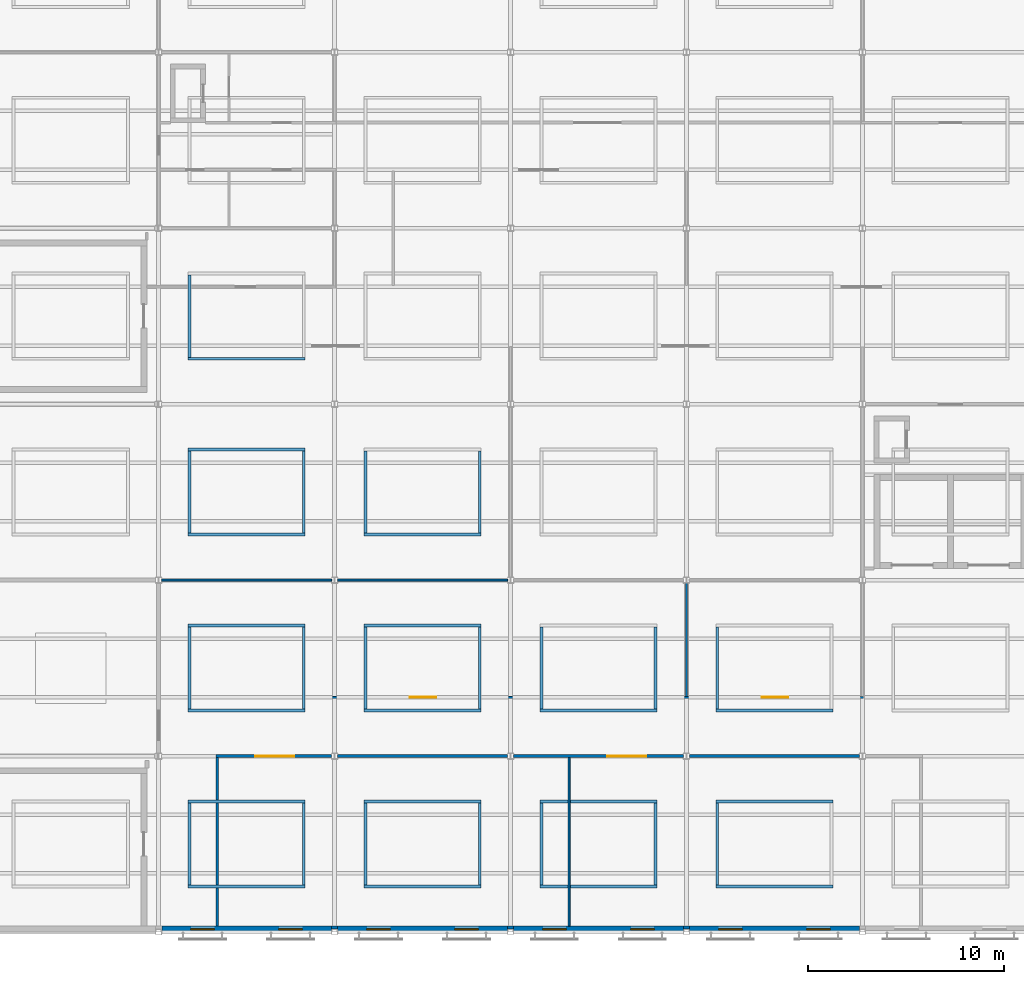
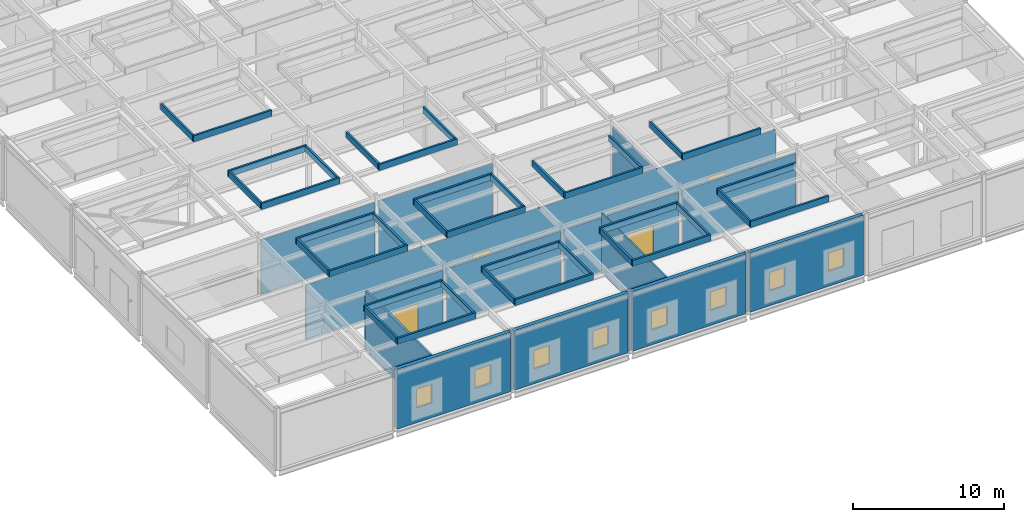
# One storey, part 78 of 115: 54 walls, 8 windows, 4 doors, 12 openings.
"""IFC4 building model written with IfcOpenShell, lengths in metres."""

import ifcopenshell
import ifcopenshell.guid

model = None  # the IFC model being written
_history = None  # IfcOwnerHistory: only IFC2X3 demands one
_inside = {}  # id of a spatial element -> (the spatial element, [elements in it])
_under = {}  # id of a project, library or spatial element -> (it, [spatial elements below it])
_declared = {}  # id of a project -> (the project, [libraries it declares])
_typed = {}  # id of a type object -> (the type object, [elements of that type])
_made_of = {}  # id of a material, layer set ... -> (it, [elements and type objects made of it])


def new_model(schema):
    """Start an empty IFC model of exactly this schema.

    Asked for "IFC4X3", IfcOpenShell would pick the latest addendum, in which some entities
    have other attributes; the version numbers below select the first issue.
    IFC2X3 requires an IfcOwnerHistory on every rooted entity: one is made here for all.
    """
    global model, _history
    if schema == "IFC4X3":
        model = ifcopenshell.file(schema_version=(4, 3, 0, 0))
    else:
        model = ifcopenshell.file(schema=schema)
    _inside.clear()
    _under.clear()
    _declared.clear()
    _typed.clear()
    _made_of.clear()
    _history = None
    if model.schema == "IFC2X3":
        org = make("IfcOrganization", Name="unknown")
        user = make(
            "IfcPersonAndOrganization",
            ThePerson=make("IfcPerson", FamilyName="unknown"),
            TheOrganization=org,
        )
        app = make(
            "IfcApplication",
            ApplicationDeveloper=org,
            Version="unknown",
            ApplicationFullName="unknown",
            ApplicationIdentifier="unknown",
        )
        _history = make(
            "IfcOwnerHistory",
            OwningUser=user,
            OwningApplication=app,
            ChangeAction="ADDED",
            CreationDate=0,
        )
    return model


def make(cls, **values):
    """One entity of the class cls with the attributes given. An attribute that is None is left unset."""
    return model.create_entity(
        cls, **{name: value for name, value in values.items() if value is not None}
    )


def rooted(cls, **values):
    """An entity with a GlobalId (a new one), such as an element, a storey or a relation."""
    return make(cls, GlobalId=ifcopenshell.guid.new(), OwnerHistory=_history, **values)


def si_unit(unit_type, name, prefix=None):
    """IfcSIUnit, for example si_unit("LENGTHUNIT", "METRE", prefix="MILLI")."""
    return make("IfcSIUnit", UnitType=unit_type, Prefix=prefix, Name=name)


def assignment(units):
    """IfcUnitAssignment: the units of a project."""
    return None if units is None else make("IfcUnitAssignment", Units=units)


def point(xyz):
    """IfcCartesianPoint."""
    return None if xyz is None else make("IfcCartesianPoint", Coordinates=xyz)


def direction(xyz):
    """IfcDirection."""
    return None if xyz is None else make("IfcDirection", DirectionRatios=xyz)


def frame(location, z_axis=None, x_axis=None):
    """IfcAxis2Placement3D, a coordinate frame: its origin and axes. An axis left out is left unset."""
    return make(
        "IfcAxis2Placement3D",
        Location=point(location),
        Axis=direction(z_axis),
        RefDirection=direction(x_axis),
    )


def frame_2d(location, x_axis=None):
    """IfcAxis2Placement2D, a coordinate frame in the plane: its origin and x axis."""
    return make(
        "IfcAxis2Placement2D", Location=point(location), RefDirection=direction(x_axis)
    )


def origin():
    """The frame at (0, 0, 0) with its axes left unset."""
    return frame((0.0, 0.0, 0.0))


def place(relative_to, where):
    """IfcLocalPlacement: puts the frame where relative to a parent placement (None: the world)."""
    return make(
        "IfcLocalPlacement", PlacementRelTo=relative_to, RelativePlacement=where
    )


def context(
    kind, dimensions, precision=None, world=None, true_north=None, identifier=None
):
    """IfcGeometricRepresentationContext, for example the 3D "Model" context."""
    return make(
        "IfcGeometricRepresentationContext",
        ContextIdentifier=identifier,
        ContextType=kind,
        CoordinateSpaceDimension=dimensions,
        Precision=precision,
        WorldCoordinateSystem=world,
        TrueNorth=true_north,
    )


def subcontext(parent, identifier, kind, view, scale=None):
    """IfcGeometricRepresentationSubContext, for example "Body" below "Model"."""
    return make(
        "IfcGeometricRepresentationSubContext",
        ContextIdentifier=identifier,
        ContextType=kind,
        ParentContext=parent,
        TargetScale=scale,
        TargetView=view,
    )


def project(units=None, contexts=None):
    """IfcProject with its units and contexts."""
    return rooted(
        "IfcProject",
        Name="project",
        RepresentationContexts=contexts,
        UnitsInContext=assignment(units),
    )


def spatial(cls, under=None, at=None, **own):
    """A site, building, storey or space (cls), placed at a placement, below another one or the project."""
    s = rooted(cls, ObjectPlacement=at, **own)
    if under is not None:
        _under.setdefault(under.id(), (under, []))[1].append(s)
    return s


def profile(cls, at=None, kind="AREA", **sizes):
    """A parametric profile (cls). Its sizes go by their IFC names, for example OverallWidth=200.0."""
    return make(cls, ProfileType=kind, Position=at, **sizes)


def rectangle(**sizes):
    """IfcRectangleProfileDef."""
    return profile("IfcRectangleProfileDef", **sizes)


def extrude(swept, where, along, depth):
    """IfcExtrudedAreaSolid: the profile swept, set in the frame where, extruded along a direction by depth."""
    return make(
        "IfcExtrudedAreaSolid",
        SweptArea=swept,
        Position=where,
        ExtrudedDirection=direction(along),
        Depth=depth,
    )


def shape(context_of_items, identifier, shape_type, items):
    """IfcShapeRepresentation: the items that make up one representation, for example the "Body"."""
    return make(
        "IfcShapeRepresentation",
        ContextOfItems=context_of_items,
        RepresentationIdentifier=identifier,
        RepresentationType=shape_type,
        Items=items,
    )


def material(Name=None, Category=None):
    """IfcMaterial."""
    return make("IfcMaterial", Name=Name, Category=Category)


def layer(
    of_material, thickness, ventilated=None, Name=None, Category=None, Priority=None
):
    """IfcMaterialLayer: one layer of a wall or slab, of a material (None: an air gap)."""
    return make(
        "IfcMaterialLayer",
        Material=of_material,
        LayerThickness=thickness,
        IsVentilated=ventilated,
        Name=Name,
        Category=Category,
        Priority=Priority,
    )


def layer_set(layers, Name=None):
    """IfcMaterialLayerSet."""
    return make("IfcMaterialLayerSet", MaterialLayers=layers, LayerSetName=Name)


def made_of(thing, what):
    """Note that an element or type object is made of a material, layer set ...; save() writes the relation."""
    if what is not None:
        _made_of.setdefault(what.id(), (what, []))[1].append(thing)
    return thing


def type_object(cls, material=None, **own):
    """A type object (cls), such as IfcWallType, which elements share."""
    return made_of(rooted(cls, **own), material)


def element(
    cls,
    number,
    at=None,
    inside=None,
    cuts=None,
    type_object=None,
    material=None,
    context=None,
    identifier="Body",
    shape_type=None,
    held_by="IfcProductDefinitionShape",
    body=None,
    shapes=None,
    **own,
):
    """One element of the class cls, such as IfcWall. Its Tag is "e" and its number.

    at: its placement. inside: the storey or other place that contains it. cuts: it is an
    opening in that element (IfcRelVoidsElement). A single representation is given by context,
    identifier, shape_type and body (its items); several are given by shapes. held_by: the class
    of the entity that holds the representations. save() writes the other relations.
    """
    e = rooted(cls, Tag="e%d" % number, ObjectPlacement=at, **own)
    if body is not None:
        shapes = [shape(context, identifier, shape_type, body)]
    if shapes is not None:
        e.Representation = make(held_by, Representations=shapes)
    if inside is not None:
        _inside.setdefault(inside.id(), (inside, []))[1].append(e)
    if cuts is not None:
        rooted(
            "IfcRelVoidsElement", RelatingBuildingElement=cuts, RelatedOpeningElement=e
        )
    if type_object is not None:
        _typed.setdefault(type_object.id(), (type_object, []))[1].append(e)
    return made_of(e, material)


def fill(opening, filler):
    """IfcRelFillsElement: the door or window that sits in an opening."""
    return rooted(
        "IfcRelFillsElement",
        RelatingOpeningElement=opening,
        RelatedBuildingElement=filler,
    )


def aggregate(whole, parts):
    """IfcRelAggregates: a whole, such as a stair, and the parts it consists of."""
    return rooted("IfcRelAggregates", RelatingObject=whole, RelatedObjects=parts)


def save(model, path):
    """Write the relations noted so far, then the file.

    IfcRelAggregates (storeys below a building ...), IfcRelContainedInSpatialStructure (elements
    in a storey), IfcRelDefinesByType, IfcRelAssociatesMaterial and IfcRelDeclares: one each for
    every whole, place, type object, material and project.
    """
    for whole, parts in _under.values():
        aggregate(whole, parts)
    for where, things in _inside.values():
        rooted(
            "IfcRelContainedInSpatialStructure",
            RelatedElements=things,
            RelatingStructure=where,
        )
    for kind, things in _typed.values():
        rooted("IfcRelDefinesByType", RelatedObjects=things, RelatingType=kind)
    for what, things in _made_of.values():
        rooted("IfcRelAssociatesMaterial", RelatedObjects=things, RelatingMaterial=what)
    for by, libraries in _declared.values():
        rooted("IfcRelDeclares", RelatingContext=by, RelatedDefinitions=libraries)
    model.write(path)


model = new_model("IFC4")

# Units and contexts
model_context = context("Model", 3, precision=1e-05, world=origin(), true_north=direction((0.0, 1.0)))
body_context = subcontext(model_context, "Body", "Model", "MODEL_VIEW")
ifc_project = project(units=[si_unit("LENGTHUNIT", "METRE"), si_unit("AREAUNIT", "SQUARE_METRE"), si_unit("VOLUMEUNIT", "CUBIC_METRE"), si_unit("PLANEANGLEUNIT", "RADIAN"), si_unit("MASSUNIT", "GRAM", prefix="KILO")], contexts=[model_context])

# Site, building, storey
site_placement = place(None, origin())
site = spatial("IfcSite", under=ifc_project, at=site_placement, CompositionType="ELEMENT")
building_placement = place(site_placement, origin())
building = spatial("IfcBuilding", under=site, at=building_placement, Name="Shorebreak Coast Museum", CompositionType="ELEMENT")
storey_placement = place(building_placement, frame((0.0, 0.0, 11.0)))
storey = spatial("IfcBuildingStorey", under=building, at=storey_placement, Name="L02", CompositionType="ELEMENT", Elevation=11.0)

# Walls
ifc_material_1 = material(Name="Concrete N50 (50 MPa)", Category="concrete")
ifc_layer_1 = layer(ifc_material_1, 0.14990234375)
ifc_layer_set_1 = layer_set([ifc_layer_1], Name="Concrete N50 (50 MPa)")
wall_type_1 = type_object("IfcWallType", Name="Column closure panel 150", PredefinedType="SOLIDWALL", material=ifc_layer_set_1)
for number, where, z_axis, x_axis, name in (
    (1, (71.839111328125, 0.22509765625, 0.0), (0.0, 0.0, 1.0), (1.0, 0.0, 0.0), "Column closure panel L02 S 9A"),
    (2, (80.839111328125, 0.22509765625, 0.0), (0.0, 0.0, 1.0), (1.0, 0.0, 0.0), "Column closure panel L02 S 10A"),
    (3, (89.839111328125, 0.22509765625, 0.0), (0.0, 0.0, 1.0), (1.0, 0.0, 0.0), "Column closure panel L02 S 11A"),
):
    element("IfcWall", number, at=place(storey_placement, frame(where, z_axis=z_axis, x_axis=x_axis)), inside=storey, type_object=wall_type_1, Name=name, PredefinedType="SOLIDWALL", context=body_context, shape_type="SweptSolid", body=[
        extrude(rectangle(XDim=0.32177734375, YDim=0.14990234375, at=frame_2d((0.160888671875, 0.0))), origin(), (0.0, 0.0, 1.0), 4.824951171875),
    ])

# Wall, opening, door
ifc_material_2 = material(Name="Plasterboard on steel stud", Category="steel")
ifc_layer_2 = layer(ifc_material_2, 0.14990234375)
ifc_layer_set_2 = layer_set([ifc_layer_2], Name="Plasterboard on steel stud")
wall_type_2 = type_object("IfcWallType", Name="Fire partition 150", PredefinedType="PARTITIONING", material=ifc_layer_set_2)
wall_1_placement = place(storey_placement, frame((65.925048828125, 9.0, 0.0), z_axis=(0.0, 0.0, 1.0), x_axis=(1.0, 0.0, 0.0)))
wall_1 = element("IfcWall", 4, at=wall_1_placement, inside=storey, type_object=wall_type_2, Name="Partition L02-001", PredefinedType="PARTITIONING", context=body_context, shape_type="SweptSolid", body=[
    extrude(rectangle(XDim=5.92138671875, YDim=0.14990234375, at=frame_2d((2.960693359375, 0.0))), origin(), (0.0, 0.0, 1.0), 4.418701171875),
])
opening_1_placement = place(wall_1_placement, frame((2.02490234375, 0.0, 0.0)))
opening_1 = element("IfcOpeningElement", 5, at=opening_1_placement, cuts=wall_1, Name="Opening D2024", PredefinedType="OPENING", context=body_context, shape_type="SweptSolid", body=[
    extrude(rectangle(XDim=2.0, YDim=2.39990234375, at=frame_2d((1.0, 1.199951171875))), frame((0.0, 0.0849609375, 0.0), z_axis=(0.0, -1.0, 0.0), x_axis=(1.0, 0.0, 0.0)), (0.0, 0.0, 1.0), 0.169921875),
])
ifc_material_3 = material(Name="Steel", Category="steel")
door_type_1 = type_object("IfcDoorType", Name="Fire door 2000x2400 60", OperationType="DOUBLE_DOOR_SINGLE_SWING", PredefinedType="DOOR", material=ifc_material_3)
door_1_placement = place(opening_1_placement, origin())
door_1 = element("IfcDoor", 6, at=door_1_placement, inside=storey, type_object=door_type_1, Name="Door D2024 Archive 2.01", OperationType="DOUBLE_DOOR_SINGLE_SWING", OverallHeight=2.39990234375, OverallWidth=2.0, PredefinedType="DOOR", context=body_context, shape_type="SweptSolid", body=[
    extrude(rectangle(XDim=2.0, YDim=2.39990234375, at=frame_2d((1.0, 1.199951171875))), frame((0.0, 0.02490234375, 0.0), z_axis=(0.0, -1.0, 0.0), x_axis=(1.0, 0.0, 0.0)), (0.0, 0.0, 1.0), 0.050048828125),
])
fill(opening_1, door_1)

# Wall
wall_2_placement = place(storey_placement, frame((72.153564453125, 9.0, 0.0), z_axis=(0.0, 0.0, 1.0), x_axis=(1.0, 0.0, 0.0)))
element("IfcWall", 7, at=wall_2_placement, inside=storey, type_object=wall_type_2, Name="Partition L02-002", PredefinedType="PARTITIONING", context=body_context, shape_type="SweptSolid", body=[
    extrude(rectangle(XDim=8.69287109375, YDim=0.14990234375, at=frame_2d((4.346435546875, 0.0))), origin(), (0.0, 0.0, 1.0), 4.418701171875),
])

# Wall, opening, door
wall_3_placement = place(storey_placement, frame((81.153564453125, 9.0, 0.0), z_axis=(0.0, 0.0, 1.0), x_axis=(1.0, 0.0, 0.0)))
wall_3 = element("IfcWall", 8, at=wall_3_placement, inside=storey, type_object=wall_type_2, Name="Partition L02-003", PredefinedType="PARTITIONING", context=body_context, shape_type="SweptSolid", body=[
    extrude(rectangle(XDim=8.69287109375, YDim=0.14990234375, at=frame_2d((4.346435546875, 0.0))), origin(), (0.0, 0.0, 1.0), 4.418701171875),
])
opening_2_placement = place(wall_3_placement, frame((4.79638671875, 0.0, 0.0)))
opening_2 = element("IfcOpeningElement", 9, at=opening_2_placement, cuts=wall_3, Name="Opening D2025", PredefinedType="OPENING", context=body_context, shape_type="SweptSolid", body=[
    extrude(rectangle(XDim=2.0, YDim=2.39990234375, at=frame_2d((1.0, 1.199951171875))), frame((0.0, 0.0849609375, 0.0), z_axis=(0.0, -1.0, 0.0), x_axis=(1.0, 0.0, 0.0)), (0.0, 0.0, 1.0), 0.169921875),
])
door_2_placement = place(opening_2_placement, origin())
door_2 = element("IfcDoor", 10, at=door_2_placement, inside=storey, type_object=door_type_1, Name="Door D2025 Archive 2.02", OperationType="DOUBLE_DOOR_SINGLE_SWING", OverallHeight=2.39990234375, OverallWidth=2.0, PredefinedType="DOOR", context=body_context, shape_type="SweptSolid", body=[
    extrude(rectangle(XDim=2.0, YDim=2.39990234375, at=frame_2d((1.0, 1.199951171875))), frame((0.0, 0.02490234375, 0.0), z_axis=(0.0, -1.0, 0.0), x_axis=(1.0, 0.0, 0.0)), (0.0, 0.0, 1.0), 0.050048828125),
])
fill(opening_2, door_2)

# Walls
wall_4_placement = place(storey_placement, frame((90.153564453125, 9.0, 0.0), z_axis=(0.0, 0.0, 1.0), x_axis=(1.0, 0.0, 0.0)))
element("IfcWall", 11, at=wall_4_placement, inside=storey, type_object=wall_type_2, Name="Partition L02-004", PredefinedType="PARTITIONING", context=body_context, shape_type="SweptSolid", body=[
    extrude(rectangle(XDim=8.69287109375, YDim=0.14990234375, at=frame_2d((4.346435546875, 0.0))), origin(), (0.0, 0.0, 1.0), 4.418701171875),
])
wall_5_placement = place(storey_placement, frame((66.0, 0.300048828125, 0.0), z_axis=(0.0, 0.0, 1.0), x_axis=(0.0, 1.0, 0.0)))
element("IfcWall", 12, at=wall_5_placement, inside=storey, type_object=wall_type_2, Name="Partition L02-120", PredefinedType="PARTITIONING", context=body_context, shape_type="SweptSolid", body=[
    extrude(rectangle(XDim=8.625, YDim=0.14990234375, at=frame_2d((4.3125, 0.0))), origin(), (0.0, 0.0, 1.0), 4.824951171875),
])

# Wall, openings, doors
ifc_material_4 = material(Name="Plasterboard on steel stud", Category="steel")
ifc_layer_3 = layer(ifc_material_4, 0.10009765625)
ifc_layer_set_3 = layer_set([ifc_layer_3], Name="Plasterboard on steel stud")
wall_type_3 = type_object("IfcWallType", Name="Partition 100", PredefinedType="PARTITIONING", material=ifc_layer_set_3)
wall_6_placement = place(storey_placement, frame((63.10009765625, 12.0, 0.0), z_axis=(0.0, 0.0, 1.0), x_axis=(1.0, 0.0, 0.0)))
wall_6 = element("IfcWall", 13, at=wall_6_placement, inside=storey, type_object=wall_type_3, Name="Partition L02-006", PredefinedType="PARTITIONING", context=body_context, shape_type="SweptSolid", body=[
    extrude(rectangle(XDim=35.949951171875, YDim=0.10009765625, at=frame_2d((17.97509765625, 0.0))), origin(), (0.0, 0.0, 1.0), 4.42236328125),
])
opening_3_placement = place(wall_6_placement, frame((12.75, 0.0, 0.0)))
opening_3 = element("IfcOpeningElement", 14, at=opening_3_placement, cuts=wall_6, Name="Opening D2030", PredefinedType="OPENING", context=body_context, shape_type="SweptSolid", body=[
    extrude(rectangle(XDim=1.35009765625, YDim=2.39990234375, at=frame_2d((0.675048828125, 1.199951171875))), frame((0.0, 0.06005859375, 0.0), z_axis=(0.0, -1.0, 0.0), x_axis=(1.0, 0.0, 0.0)), (0.0, 0.0, 1.0), 0.1201171875),
])
opening_4_placement = place(wall_6_placement, frame((30.75, 0.0, 0.0)))
opening_4 = element("IfcOpeningElement", 15, at=opening_4_placement, cuts=wall_6, Name="Opening D2031", PredefinedType="OPENING", context=body_context, shape_type="SweptSolid", body=[
    extrude(rectangle(XDim=1.35009765625, YDim=2.39990234375, at=frame_2d((0.675048828125, 1.199951171875))), frame((0.0, 0.06005859375, 0.0), z_axis=(0.0, -1.0, 0.0), x_axis=(1.0, 0.0, 0.0)), (0.0, 0.0, 1.0), 0.1201171875),
])
ifc_material_5 = material(Name="Timber", Category="wood")
door_type_2 = type_object("IfcDoorType", Name="Interior door 1350x2400", OperationType="SINGLE_SWING_LEFT", PredefinedType="DOOR", material=ifc_material_5)
door_3_placement = place(opening_3_placement, origin())
door_3 = element("IfcDoor", 16, at=door_3_placement, inside=storey, type_object=door_type_2, Name="Door D2030 Collection Store 2.01", OperationType="SINGLE_SWING_LEFT", OverallHeight=2.39990234375, OverallWidth=1.35009765625, PredefinedType="DOOR", context=body_context, shape_type="SweptSolid", body=[
    extrude(rectangle(XDim=1.35009765625, YDim=2.39990234375, at=frame_2d((0.675048828125, 1.199951171875))), frame((0.0, 0.02490234375, 0.0), z_axis=(0.0, -1.0, 0.0), x_axis=(1.0, 0.0, 0.0)), (0.0, 0.0, 1.0), 0.050048828125),
])
fill(opening_3, door_3)
door_4_placement = place(opening_4_placement, origin())
door_4 = element("IfcDoor", 17, at=door_4_placement, inside=storey, type_object=door_type_2, Name="Door D2031 Collection Store 2.02", OperationType="SINGLE_SWING_LEFT", OverallHeight=2.39990234375, OverallWidth=1.35009765625, PredefinedType="DOOR", context=body_context, shape_type="SweptSolid", body=[
    extrude(rectangle(XDim=1.35009765625, YDim=2.39990234375, at=frame_2d((0.675048828125, 1.199951171875))), frame((0.0, 0.02490234375, 0.0), z_axis=(0.0, -1.0, 0.0), x_axis=(1.0, 0.0, 0.0)), (0.0, 0.0, 1.0), 0.050048828125),
])
fill(opening_4, door_4)

# Walls
for number, where, z_axis, x_axis, name in (
    (18, (63.153564453125, 18.0, 0.0), (0.0, 0.0, 1.0), (1.0, 0.0, 0.0), "Partition L02-008"),
    (19, (72.153564453125, 18.0, 0.0), (0.0, 0.0, 1.0), (1.0, 0.0, 0.0), "Partition L02-009"),
):
    element("IfcWall", number, at=place(storey_placement, frame(where, z_axis=z_axis, x_axis=x_axis)), inside=storey, type_object=wall_type_3, Name=name, PredefinedType="PARTITIONING", context=body_context, shape_type="SweptSolid", body=[
        extrude(rectangle(XDim=8.69287109375, YDim=0.10009765625, at=frame_2d((4.346435546875, 0.0))), origin(), (0.0, 0.0, 1.0), 4.418701171875),
    ])
wall_7_placement = place(storey_placement, frame((84.0, 0.300048828125, 0.0), z_axis=(0.0, 0.0, 1.0), x_axis=(0.0, 1.0, 0.0)))
element("IfcWall", 20, at=wall_7_placement, inside=storey, type_object=wall_type_3, Name="Partition L02-135", PredefinedType="PARTITIONING", context=body_context, shape_type="SweptSolid", body=[
    extrude(rectangle(XDim=8.625, YDim=0.10009765625, at=frame_2d((4.3125, 0.0))), origin(), (0.0, 0.0, 1.0), 4.824951171875),
])
wall_8_placement = place(storey_placement, frame((90.0, 12.050048828125, 0.0), z_axis=(0.0, 0.0, 1.0), x_axis=(0.0, 1.0, 0.0)))
element("IfcWall", 21, at=wall_8_placement, inside=storey, type_object=wall_type_3, Name="Partition L02-140", PredefinedType="PARTITIONING", context=body_context, shape_type="SweptSolid", body=[
    extrude(rectangle(XDim=5.792724609375, YDim=0.10009765625, at=frame_2d((2.896484375, 0.0))), origin(), (0.0, 0.0, 1.0), 4.296875),
])
ifc_material_6 = material(Name="Concrete N50 (50 MPa)", Category="concrete")
ifc_layer_4 = layer(ifc_material_6, 0.14990234375)
ifc_layer_set_4 = layer_set([ifc_layer_4], Name="Concrete N50 (50 MPa)")
wall_type_4 = type_object("IfcWallType", Name="Planter wall 150 high 500", PredefinedType="PARAPET", material=ifc_layer_set_4)
for number, where, z_axis, x_axis, name in (
    (22, (64.5, 2.324951171875, 5.0), (0.0, 0.0, 1.0), (1.0, 0.0, 0.0), "Planter SDECK 18 south wall"),
    (23, (64.5, 6.675048828125, 5.0), (0.0, 0.0, 1.0), (1.0, 0.0, 0.0), "Planter SDECK 18 north wall"),
):
    element("IfcWall", number, at=place(storey_placement, frame(where, z_axis=z_axis, x_axis=x_axis)), inside=storey, type_object=wall_type_4, Name=name, PredefinedType="PARAPET", context=body_context, shape_type="SweptSolid", body=[
        extrude(rectangle(XDim=6.0, YDim=0.14990234375, at=frame_2d((3.0, 0.0))), origin(), (0.0, 0.0, 1.0), 0.5),
    ])
for number, where, z_axis, x_axis, name in (
    (24, (64.574951171875, 2.39990234375, 5.0), (0.0, 0.0, 1.0), (0.0, 1.0, 0.0), "Planter SDECK 18 west wall"),
    (25, (70.425048828125, 2.39990234375, 5.0), (0.0, 0.0, 1.0), (0.0, 1.0, 0.0), "Planter SDECK 18 east wall"),
):
    element("IfcWall", number, at=place(storey_placement, frame(where, z_axis=z_axis, x_axis=x_axis)), inside=storey, type_object=wall_type_4, Name=name, PredefinedType="PARAPET", context=body_context, shape_type="SweptSolid", body=[
        extrude(rectangle(XDim=4.2001953125, YDim=0.14990234375, at=frame_2d((2.10009765625, 0.0))), origin(), (0.0, 0.0, 1.0), 0.5),
    ])
for number, where, z_axis, x_axis, name in (
    (26, (73.5, 2.324951171875, 5.0), (0.0, 0.0, 1.0), (1.0, 0.0, 0.0), "Planter SDECK 19 south wall"),
    (27, (73.5, 6.675048828125, 5.0), (0.0, 0.0, 1.0), (1.0, 0.0, 0.0), "Planter SDECK 19 north wall"),
):
    element("IfcWall", number, at=place(storey_placement, frame(where, z_axis=z_axis, x_axis=x_axis)), inside=storey, type_object=wall_type_4, Name=name, PredefinedType="PARAPET", context=body_context, shape_type="SweptSolid", body=[
        extrude(rectangle(XDim=6.0, YDim=0.14990234375, at=frame_2d((3.0, 0.0))), origin(), (0.0, 0.0, 1.0), 0.5),
    ])
for number, where, z_axis, x_axis, name in (
    (28, (73.574951171875, 2.39990234375, 5.0), (0.0, 0.0, 1.0), (0.0, 1.0, 0.0), "Planter SDECK 19 west wall"),
    (29, (79.425048828125, 2.39990234375, 5.0), (0.0, 0.0, 1.0), (0.0, 1.0, 0.0), "Planter SDECK 19 east wall"),
):
    element("IfcWall", number, at=place(storey_placement, frame(where, z_axis=z_axis, x_axis=x_axis)), inside=storey, type_object=wall_type_4, Name=name, PredefinedType="PARAPET", context=body_context, shape_type="SweptSolid", body=[
        extrude(rectangle(XDim=4.2001953125, YDim=0.14990234375, at=frame_2d((2.10009765625, 0.0))), origin(), (0.0, 0.0, 1.0), 0.5),
    ])
for number, where, z_axis, x_axis, name in (
    (30, (82.5, 2.324951171875, 5.0), (0.0, 0.0, 1.0), (1.0, 0.0, 0.0), "Planter SDECK 20 south wall"),
    (31, (82.5, 6.675048828125, 5.0), (0.0, 0.0, 1.0), (1.0, 0.0, 0.0), "Planter SDECK 20 north wall"),
):
    element("IfcWall", number, at=place(storey_placement, frame(where, z_axis=z_axis, x_axis=x_axis)), inside=storey, type_object=wall_type_4, Name=name, PredefinedType="PARAPET", context=body_context, shape_type="SweptSolid", body=[
        extrude(rectangle(XDim=6.0, YDim=0.14990234375, at=frame_2d((3.0, 0.0))), origin(), (0.0, 0.0, 1.0), 0.5),
    ])
for number, where, z_axis, x_axis, name in (
    (32, (82.574951171875, 2.39990234375, 5.0), (0.0, 0.0, 1.0), (0.0, 1.0, 0.0), "Planter SDECK 20 west wall"),
    (33, (88.425048828125, 2.39990234375, 5.0), (0.0, 0.0, 1.0), (0.0, 1.0, 0.0), "Planter SDECK 20 east wall"),
):
    element("IfcWall", number, at=place(storey_placement, frame(where, z_axis=z_axis, x_axis=x_axis)), inside=storey, type_object=wall_type_4, Name=name, PredefinedType="PARAPET", context=body_context, shape_type="SweptSolid", body=[
        extrude(rectangle(XDim=4.2001953125, YDim=0.14990234375, at=frame_2d((2.10009765625, 0.0))), origin(), (0.0, 0.0, 1.0), 0.5),
    ])
for number, where, z_axis, x_axis, name in (
    (34, (91.5, 2.324951171875, 5.0), (0.0, 0.0, 1.0), (1.0, 0.0, 0.0), "Planter SDECK 21 south wall"),
    (35, (91.5, 6.675048828125, 5.0), (0.0, 0.0, 1.0), (1.0, 0.0, 0.0), "Planter SDECK 21 north wall"),
):
    element("IfcWall", number, at=place(storey_placement, frame(where, z_axis=z_axis, x_axis=x_axis)), inside=storey, type_object=wall_type_4, Name=name, PredefinedType="PARAPET", context=body_context, shape_type="SweptSolid", body=[
        extrude(rectangle(XDim=6.0, YDim=0.14990234375, at=frame_2d((3.0, 0.0))), origin(), (0.0, 0.0, 1.0), 0.5),
    ])
wall_9_placement = place(storey_placement, frame((91.574951171875, 2.39990234375, 5.0), z_axis=(0.0, 0.0, 1.0), x_axis=(0.0, 1.0, 0.0)))
element("IfcWall", 36, at=wall_9_placement, inside=storey, type_object=wall_type_4, Name="Planter SDECK 21 west wall", PredefinedType="PARAPET", context=body_context, shape_type="SweptSolid", body=[
    extrude(rectangle(XDim=4.2001953125, YDim=0.14990234375, at=frame_2d((2.10009765625, 0.0))), origin(), (0.0, 0.0, 1.0), 0.5),
])
for number, where, z_axis, x_axis, name in (
    (37, (64.5, 11.324951171875, 5.0), (0.0, 0.0, 1.0), (1.0, 0.0, 0.0), "Planter SDECK 24 south wall"),
    (38, (64.5, 15.675048828125, 5.0), (0.0, 0.0, 1.0), (1.0, 0.0, 0.0), "Planter SDECK 24 north wall"),
):
    element("IfcWall", number, at=place(storey_placement, frame(where, z_axis=z_axis, x_axis=x_axis)), inside=storey, type_object=wall_type_4, Name=name, PredefinedType="PARAPET", context=body_context, shape_type="SweptSolid", body=[
        extrude(rectangle(XDim=6.0, YDim=0.14990234375, at=frame_2d((3.0, 0.0))), origin(), (0.0, 0.0, 1.0), 0.5),
    ])
for number, where, z_axis, x_axis, name in (
    (39, (64.574951171875, 11.39990234375, 5.0), (0.0, 0.0, 1.0), (0.0, 1.0, 0.0), "Planter SDECK 24 west wall"),
    (40, (70.425048828125, 11.39990234375, 5.0), (0.0, 0.0, 1.0), (0.0, 1.0, 0.0), "Planter SDECK 24 east wall"),
):
    element("IfcWall", number, at=place(storey_placement, frame(where, z_axis=z_axis, x_axis=x_axis)), inside=storey, type_object=wall_type_4, Name=name, PredefinedType="PARAPET", context=body_context, shape_type="SweptSolid", body=[
        extrude(rectangle(XDim=4.2001953125, YDim=0.14990234375, at=frame_2d((2.10009765625, 0.0))), origin(), (0.0, 0.0, 1.0), 0.5),
    ])
for number, where, z_axis, x_axis, name in (
    (41, (73.5, 11.324951171875, 5.0), (0.0, 0.0, 1.0), (1.0, 0.0, 0.0), "Planter SDECK 25 south wall"),
    (42, (73.5, 15.675048828125, 5.0), (0.0, 0.0, 1.0), (1.0, 0.0, 0.0), "Planter SDECK 25 north wall"),
):
    element("IfcWall", number, at=place(storey_placement, frame(where, z_axis=z_axis, x_axis=x_axis)), inside=storey, type_object=wall_type_4, Name=name, PredefinedType="PARAPET", context=body_context, shape_type="SweptSolid", body=[
        extrude(rectangle(XDim=6.0, YDim=0.14990234375, at=frame_2d((3.0, 0.0))), origin(), (0.0, 0.0, 1.0), 0.5),
    ])
for number, where, z_axis, x_axis, name in (
    (43, (73.574951171875, 11.39990234375, 5.0), (0.0, 0.0, 1.0), (0.0, 1.0, 0.0), "Planter SDECK 25 west wall"),
    (44, (79.425048828125, 11.39990234375, 5.0), (0.0, 0.0, 1.0), (0.0, 1.0, 0.0), "Planter SDECK 25 east wall"),
):
    element("IfcWall", number, at=place(storey_placement, frame(where, z_axis=z_axis, x_axis=x_axis)), inside=storey, type_object=wall_type_4, Name=name, PredefinedType="PARAPET", context=body_context, shape_type="SweptSolid", body=[
        extrude(rectangle(XDim=4.2001953125, YDim=0.14990234375, at=frame_2d((2.10009765625, 0.0))), origin(), (0.0, 0.0, 1.0), 0.5),
    ])
wall_10_placement = place(storey_placement, frame((82.5, 11.324951171875, 5.0), z_axis=(0.0, 0.0, 1.0), x_axis=(1.0, 0.0, 0.0)))
element("IfcWall", 45, at=wall_10_placement, inside=storey, type_object=wall_type_4, Name="Planter SDECK 26 south wall", PredefinedType="PARAPET", context=body_context, shape_type="SweptSolid", body=[
    extrude(rectangle(XDim=6.0, YDim=0.14990234375, at=frame_2d((3.0, 0.0))), origin(), (0.0, 0.0, 1.0), 0.5),
])
for number, where, z_axis, x_axis, name in (
    (46, (82.574951171875, 11.39990234375, 5.0), (0.0, 0.0, 1.0), (0.0, 1.0, 0.0), "Planter SDECK 26 west wall"),
    (47, (88.425048828125, 11.39990234375, 5.0), (0.0, 0.0, 1.0), (0.0, 1.0, 0.0), "Planter SDECK 26 east wall"),
):
    element("IfcWall", number, at=place(storey_placement, frame(where, z_axis=z_axis, x_axis=x_axis)), inside=storey, type_object=wall_type_4, Name=name, PredefinedType="PARAPET", context=body_context, shape_type="SweptSolid", body=[
        extrude(rectangle(XDim=4.2001953125, YDim=0.14990234375, at=frame_2d((2.10009765625, 0.0))), origin(), (0.0, 0.0, 1.0), 0.5),
    ])
wall_11_placement = place(storey_placement, frame((91.5, 11.324951171875, 5.0), z_axis=(0.0, 0.0, 1.0), x_axis=(1.0, 0.0, 0.0)))
element("IfcWall", 48, at=wall_11_placement, inside=storey, type_object=wall_type_4, Name="Planter SDECK 27 south wall", PredefinedType="PARAPET", context=body_context, shape_type="SweptSolid", body=[
    extrude(rectangle(XDim=6.0, YDim=0.14990234375, at=frame_2d((3.0, 0.0))), origin(), (0.0, 0.0, 1.0), 0.5),
])
wall_12_placement = place(storey_placement, frame((91.574951171875, 11.39990234375, 5.0), z_axis=(0.0, 0.0, 1.0), x_axis=(0.0, 1.0, 0.0)))
element("IfcWall", 49, at=wall_12_placement, inside=storey, type_object=wall_type_4, Name="Planter SDECK 27 west wall", PredefinedType="PARAPET", context=body_context, shape_type="SweptSolid", body=[
    extrude(rectangle(XDim=4.2001953125, YDim=0.14990234375, at=frame_2d((2.10009765625, 0.0))), origin(), (0.0, 0.0, 1.0), 0.5),
])
for number, where, z_axis, x_axis, name in (
    (50, (64.5, 20.324951171875, 5.0), (0.0, 0.0, 1.0), (1.0, 0.0, 0.0), "Planter SDECK 31 south wall"),
    (51, (64.5, 24.675048828125, 5.0), (0.0, 0.0, 1.0), (1.0, 0.0, 0.0), "Planter SDECK 31 north wall"),
):
    element("IfcWall", number, at=place(storey_placement, frame(where, z_axis=z_axis, x_axis=x_axis)), inside=storey, type_object=wall_type_4, Name=name, PredefinedType="PARAPET", context=body_context, shape_type="SweptSolid", body=[
        extrude(rectangle(XDim=6.0, YDim=0.14990234375, at=frame_2d((3.0, 0.0))), origin(), (0.0, 0.0, 1.0), 0.5),
    ])
for number, where, z_axis, x_axis, name in (
    (52, (64.574951171875, 20.39990234375, 5.0), (0.0, 0.0, 1.0), (0.0, 1.0, 0.0), "Planter SDECK 31 west wall"),
    (53, (70.425048828125, 20.39990234375, 5.0), (0.0, 0.0, 1.0), (0.0, 1.0, 0.0), "Planter SDECK 31 east wall"),
):
    element("IfcWall", number, at=place(storey_placement, frame(where, z_axis=z_axis, x_axis=x_axis)), inside=storey, type_object=wall_type_4, Name=name, PredefinedType="PARAPET", context=body_context, shape_type="SweptSolid", body=[
        extrude(rectangle(XDim=4.2001953125, YDim=0.14990234375, at=frame_2d((2.10009765625, 0.0))), origin(), (0.0, 0.0, 1.0), 0.5),
    ])
wall_13_placement = place(storey_placement, frame((73.5, 20.324951171875, 5.0), z_axis=(0.0, 0.0, 1.0), x_axis=(1.0, 0.0, 0.0)))
element("IfcWall", 54, at=wall_13_placement, inside=storey, type_object=wall_type_4, Name="Planter SDECK 32 south wall", PredefinedType="PARAPET", context=body_context, shape_type="SweptSolid", body=[
    extrude(rectangle(XDim=6.0, YDim=0.14990234375, at=frame_2d((3.0, 0.0))), origin(), (0.0, 0.0, 1.0), 0.5),
])
for number, where, z_axis, x_axis, name in (
    (55, (73.574951171875, 20.39990234375, 5.0), (0.0, 0.0, 1.0), (0.0, 1.0, 0.0), "Planter SDECK 32 west wall"),
    (56, (79.425048828125, 20.39990234375, 5.0), (0.0, 0.0, 1.0), (0.0, 1.0, 0.0), "Planter SDECK 32 east wall"),
):
    element("IfcWall", number, at=place(storey_placement, frame(where, z_axis=z_axis, x_axis=x_axis)), inside=storey, type_object=wall_type_4, Name=name, PredefinedType="PARAPET", context=body_context, shape_type="SweptSolid", body=[
        extrude(rectangle(XDim=4.2001953125, YDim=0.14990234375, at=frame_2d((2.10009765625, 0.0))), origin(), (0.0, 0.0, 1.0), 0.5),
    ])
wall_14_placement = place(storey_placement, frame((64.5, 29.324951171875, 5.0), z_axis=(0.0, 0.0, 1.0), x_axis=(1.0, 0.0, 0.0)))
element("IfcWall", 57, at=wall_14_placement, inside=storey, type_object=wall_type_4, Name="Planter SDECK 38 south wall", PredefinedType="PARAPET", context=body_context, shape_type="SweptSolid", body=[
    extrude(rectangle(XDim=6.0, YDim=0.14990234375, at=frame_2d((3.0, 0.0))), origin(), (0.0, 0.0, 1.0), 0.5),
])
wall_15_placement = place(storey_placement, frame((64.574951171875, 29.39990234375, 5.0), z_axis=(0.0, 0.0, 1.0), x_axis=(0.0, 1.0, 0.0)))
element("IfcWall", 58, at=wall_15_placement, inside=storey, type_object=wall_type_4, Name="Planter SDECK 38 west wall", PredefinedType="PARAPET", context=body_context, shape_type="SweptSolid", body=[
    extrude(rectangle(XDim=4.2001953125, YDim=0.14990234375, at=frame_2d((2.10009765625, 0.0))), origin(), (0.0, 0.0, 1.0), 0.5),
])

# Wall, openings, windows
ifc_material_7 = material(Name="Concrete N50 (50 MPa)", Category="concrete")
ifc_layer_5 = layer(ifc_material_7, 0.300048828125)
ifc_layer_set_5 = layer_set([ifc_layer_5], Name="Concrete N50 (50 MPa)")
wall_type_5 = type_object("IfcWallType", Name="Sand-coloured precast panel 300", PredefinedType="SOLIDWALL", material=ifc_layer_set_5)
wall_16_placement = place(storey_placement, frame((63.172119140625, 0.14990234375, 0.0), z_axis=(0.0, 0.0, 1.0), x_axis=(1.0, 0.0, 0.0)))
wall_16 = element("IfcWall", 59, at=wall_16_placement, inside=storey, type_object=wall_type_5, Name="External wall L02 S 8A", PredefinedType="SOLIDWALL", context=body_context, shape_type="SweptSolid", body=[
    extrude(rectangle(XDim=8.6669921875, YDim=0.300048828125, at=frame_2d((4.33349609375, 0.0))), origin(), (0.0, 0.0, 1.0), 4.824951171875),
])
opening_5_placement = place(wall_16_placement, frame((1.47802734375, 0.0, 1.199951171875)))
opening_5 = element("IfcOpeningElement", 60, at=opening_5_placement, cuts=wall_16, Name="Opening WN2038", PredefinedType="OPENING", context=body_context, shape_type="SweptSolid", body=[
    extrude(rectangle(XDim=1.199951171875, YDim=1.5, at=frame_2d((0.60009765625, 0.75))), frame((0.0, 0.159912109375, 0.0), z_axis=(0.0, -1.0, 0.0), x_axis=(1.0, 0.0, 0.0)), (0.0, 0.0, 1.0), 0.320068359375),
])
opening_6_placement = place(wall_16_placement, frame((5.97802734375, 0.0, 1.199951171875)))
opening_6 = element("IfcOpeningElement", 61, at=opening_6_placement, cuts=wall_16, Name="Opening WN2039", PredefinedType="OPENING", context=body_context, shape_type="SweptSolid", body=[
    extrude(rectangle(XDim=1.199951171875, YDim=1.5, at=frame_2d((0.60009765625, 0.75))), frame((0.0, 0.159912109375, 0.0), z_axis=(0.0, -1.0, 0.0), x_axis=(1.0, 0.0, 0.0)), (0.0, 0.0, 1.0), 0.320068359375),
])
ifc_material_8 = material(Name="Aluminium", Category="aluminium")
window_type = type_object("IfcWindowType", Name="Punched window 1200 x 1500", PartitioningType="SINGLE_PANEL", PredefinedType="WINDOW", material=ifc_material_8)
window_1_placement = place(opening_5_placement, origin())
window_1 = element("IfcWindow", 62, at=window_1_placement, inside=storey, type_object=window_type, Name="Window WN2038", OverallHeight=1.5, OverallWidth=1.199951171875, PartitioningType="SINGLE_PANEL", PredefinedType="WINDOW", context=body_context, shape_type="SweptSolid", body=[
    extrude(rectangle(XDim=1.199951171875, YDim=1.5, at=frame_2d((0.60009765625, 0.75))), frame((0.0, 0.030029296875, 0.0), z_axis=(0.0, -1.0, 0.0), x_axis=(1.0, 0.0, 0.0)), (0.0, 0.0, 1.0), 0.06005859375),
])
fill(opening_5, window_1)
window_2_placement = place(opening_6_placement, origin())
window_2 = element("IfcWindow", 63, at=window_2_placement, inside=storey, type_object=window_type, Name="Window WN2039", OverallHeight=1.5, OverallWidth=1.199951171875, PartitioningType="SINGLE_PANEL", PredefinedType="WINDOW", context=body_context, shape_type="SweptSolid", body=[
    extrude(rectangle(XDim=1.199951171875, YDim=1.5, at=frame_2d((0.60009765625, 0.75))), frame((0.0, 0.030029296875, 0.0), z_axis=(0.0, -1.0, 0.0), x_axis=(1.0, 0.0, 0.0)), (0.0, 0.0, 1.0), 0.06005859375),
])
fill(opening_6, window_2)

wall_17_placement = place(storey_placement, frame((72.160888671875, 0.14990234375, 0.0), z_axis=(0.0, 0.0, 1.0), x_axis=(1.0, 0.0, 0.0)))
wall_17 = element("IfcWall", 64, at=wall_17_placement, inside=storey, type_object=wall_type_5, Name="External wall L02 S 9A", PredefinedType="SOLIDWALL", context=body_context, shape_type="SweptSolid", body=[
    extrude(rectangle(XDim=8.67822265625, YDim=0.300048828125, at=frame_2d((4.339111328125, 0.0))), origin(), (0.0, 0.0, 1.0), 4.824951171875),
])
opening_7_placement = place(wall_17_placement, frame((1.489013671875, 0.0, 1.199951171875)))
opening_7 = element("IfcOpeningElement", 65, at=opening_7_placement, cuts=wall_17, Name="Opening WN2040", PredefinedType="OPENING", context=body_context, shape_type="SweptSolid", body=[
    extrude(rectangle(XDim=1.199951171875, YDim=1.5, at=frame_2d((0.60009765625, 0.75))), frame((0.0, 0.159912109375, 0.0), z_axis=(0.0, -1.0, 0.0), x_axis=(1.0, 0.0, 0.0)), (0.0, 0.0, 1.0), 0.320068359375),
])
opening_8_placement = place(wall_17_placement, frame((5.989013671875, 0.0, 1.199951171875)))
opening_8 = element("IfcOpeningElement", 66, at=opening_8_placement, cuts=wall_17, Name="Opening WN2041", PredefinedType="OPENING", context=body_context, shape_type="SweptSolid", body=[
    extrude(rectangle(XDim=1.199951171875, YDim=1.5, at=frame_2d((0.60009765625, 0.75))), frame((0.0, 0.159912109375, 0.0), z_axis=(0.0, -1.0, 0.0), x_axis=(1.0, 0.0, 0.0)), (0.0, 0.0, 1.0), 0.320068359375),
])
window_3_placement = place(opening_7_placement, origin())
window_3 = element("IfcWindow", 67, at=window_3_placement, inside=storey, type_object=window_type, Name="Window WN2040", OverallHeight=1.5, OverallWidth=1.199951171875, PartitioningType="SINGLE_PANEL", PredefinedType="WINDOW", context=body_context, shape_type="SweptSolid", body=[
    extrude(rectangle(XDim=1.199951171875, YDim=1.5, at=frame_2d((0.60009765625, 0.75))), frame((0.0, 0.030029296875, 0.0), z_axis=(0.0, -1.0, 0.0), x_axis=(1.0, 0.0, 0.0)), (0.0, 0.0, 1.0), 0.06005859375),
])
fill(opening_7, window_3)
window_4_placement = place(opening_8_placement, origin())
window_4 = element("IfcWindow", 68, at=window_4_placement, inside=storey, type_object=window_type, Name="Window WN2041", OverallHeight=1.5, OverallWidth=1.199951171875, PartitioningType="SINGLE_PANEL", PredefinedType="WINDOW", context=body_context, shape_type="SweptSolid", body=[
    extrude(rectangle(XDim=1.199951171875, YDim=1.5, at=frame_2d((0.60009765625, 0.75))), frame((0.0, 0.030029296875, 0.0), z_axis=(0.0, -1.0, 0.0), x_axis=(1.0, 0.0, 0.0)), (0.0, 0.0, 1.0), 0.06005859375),
])
fill(opening_8, window_4)

wall_18_placement = place(storey_placement, frame((81.160888671875, 0.14990234375, 0.0), z_axis=(0.0, 0.0, 1.0), x_axis=(1.0, 0.0, 0.0)))
wall_18 = element("IfcWall", 69, at=wall_18_placement, inside=storey, type_object=wall_type_5, Name="External wall L02 S 10A", PredefinedType="SOLIDWALL", context=body_context, shape_type="SweptSolid", body=[
    extrude(rectangle(XDim=8.67822265625, YDim=0.300048828125, at=frame_2d((4.339111328125, 0.0))), origin(), (0.0, 0.0, 1.0), 4.824951171875),
])
opening_9_placement = place(wall_18_placement, frame((1.489013671875, 0.0, 1.199951171875)))
opening_9 = element("IfcOpeningElement", 70, at=opening_9_placement, cuts=wall_18, Name="Opening WN2042", PredefinedType="OPENING", context=body_context, shape_type="SweptSolid", body=[
    extrude(rectangle(XDim=1.199951171875, YDim=1.5, at=frame_2d((0.60009765625, 0.75))), frame((0.0, 0.159912109375, 0.0), z_axis=(0.0, -1.0, 0.0), x_axis=(1.0, 0.0, 0.0)), (0.0, 0.0, 1.0), 0.320068359375),
])
opening_10_placement = place(wall_18_placement, frame((5.989013671875, 0.0, 1.199951171875)))
opening_10 = element("IfcOpeningElement", 71, at=opening_10_placement, cuts=wall_18, Name="Opening WN2043", PredefinedType="OPENING", context=body_context, shape_type="SweptSolid", body=[
    extrude(rectangle(XDim=1.199951171875, YDim=1.5, at=frame_2d((0.60009765625, 0.75))), frame((0.0, 0.159912109375, 0.0), z_axis=(0.0, -1.0, 0.0), x_axis=(1.0, 0.0, 0.0)), (0.0, 0.0, 1.0), 0.320068359375),
])
window_5_placement = place(opening_9_placement, origin())
window_5 = element("IfcWindow", 72, at=window_5_placement, inside=storey, type_object=window_type, Name="Window WN2042", OverallHeight=1.5, OverallWidth=1.199951171875, PartitioningType="SINGLE_PANEL", PredefinedType="WINDOW", context=body_context, shape_type="SweptSolid", body=[
    extrude(rectangle(XDim=1.199951171875, YDim=1.5, at=frame_2d((0.60009765625, 0.75))), frame((0.0, 0.030029296875, 0.0), z_axis=(0.0, -1.0, 0.0), x_axis=(1.0, 0.0, 0.0)), (0.0, 0.0, 1.0), 0.06005859375),
])
fill(opening_9, window_5)
window_6_placement = place(opening_10_placement, origin())
window_6 = element("IfcWindow", 73, at=window_6_placement, inside=storey, type_object=window_type, Name="Window WN2043", OverallHeight=1.5, OverallWidth=1.199951171875, PartitioningType="SINGLE_PANEL", PredefinedType="WINDOW", context=body_context, shape_type="SweptSolid", body=[
    extrude(rectangle(XDim=1.199951171875, YDim=1.5, at=frame_2d((0.60009765625, 0.75))), frame((0.0, 0.030029296875, 0.0), z_axis=(0.0, -1.0, 0.0), x_axis=(1.0, 0.0, 0.0)), (0.0, 0.0, 1.0), 0.06005859375),
])
fill(opening_10, window_6)

wall_19_placement = place(storey_placement, frame((90.160888671875, 0.14990234375, 0.0), z_axis=(0.0, 0.0, 1.0), x_axis=(1.0, 0.0, 0.0)))
wall_19 = element("IfcWall", 74, at=wall_19_placement, inside=storey, type_object=wall_type_5, Name="External wall L02 S 11A", PredefinedType="SOLIDWALL", context=body_context, shape_type="SweptSolid", body=[
    extrude(rectangle(XDim=8.67822265625, YDim=0.300048828125, at=frame_2d((4.339111328125, 0.0))), origin(), (0.0, 0.0, 1.0), 4.824951171875),
])
opening_11_placement = place(wall_19_placement, frame((1.489013671875, 0.0, 1.199951171875)))
opening_11 = element("IfcOpeningElement", 75, at=opening_11_placement, cuts=wall_19, Name="Opening WN2044", PredefinedType="OPENING", context=body_context, shape_type="SweptSolid", body=[
    extrude(rectangle(XDim=1.199951171875, YDim=1.5, at=frame_2d((0.60009765625, 0.75))), frame((0.0, 0.159912109375, 0.0), z_axis=(0.0, -1.0, 0.0), x_axis=(1.0, 0.0, 0.0)), (0.0, 0.0, 1.0), 0.320068359375),
])
opening_12_placement = place(wall_19_placement, frame((5.989013671875, 0.0, 1.199951171875)))
opening_12 = element("IfcOpeningElement", 76, at=opening_12_placement, cuts=wall_19, Name="Opening WN2045", PredefinedType="OPENING", context=body_context, shape_type="SweptSolid", body=[
    extrude(rectangle(XDim=1.199951171875, YDim=1.5, at=frame_2d((0.60009765625, 0.75))), frame((0.0, 0.159912109375, 0.0), z_axis=(0.0, -1.0, 0.0), x_axis=(1.0, 0.0, 0.0)), (0.0, 0.0, 1.0), 0.320068359375),
])
window_7_placement = place(opening_11_placement, origin())
window_7 = element("IfcWindow", 77, at=window_7_placement, inside=storey, type_object=window_type, Name="Window WN2044", OverallHeight=1.5, OverallWidth=1.199951171875, PartitioningType="SINGLE_PANEL", PredefinedType="WINDOW", context=body_context, shape_type="SweptSolid", body=[
    extrude(rectangle(XDim=1.199951171875, YDim=1.5, at=frame_2d((0.60009765625, 0.75))), frame((0.0, 0.030029296875, 0.0), z_axis=(0.0, -1.0, 0.0), x_axis=(1.0, 0.0, 0.0)), (0.0, 0.0, 1.0), 0.06005859375),
])
fill(opening_11, window_7)
window_8_placement = place(opening_12_placement, origin())
window_8 = element("IfcWindow", 78, at=window_8_placement, inside=storey, type_object=window_type, Name="Window WN2045", OverallHeight=1.5, OverallWidth=1.199951171875, PartitioningType="SINGLE_PANEL", PredefinedType="WINDOW", context=body_context, shape_type="SweptSolid", body=[
    extrude(rectangle(XDim=1.199951171875, YDim=1.5, at=frame_2d((0.60009765625, 0.75))), frame((0.0, 0.030029296875, 0.0), z_axis=(0.0, -1.0, 0.0), x_axis=(1.0, 0.0, 0.0)), (0.0, 0.0, 1.0), 0.06005859375),
])
fill(opening_12, window_8)

save(model, "model.ifc")
